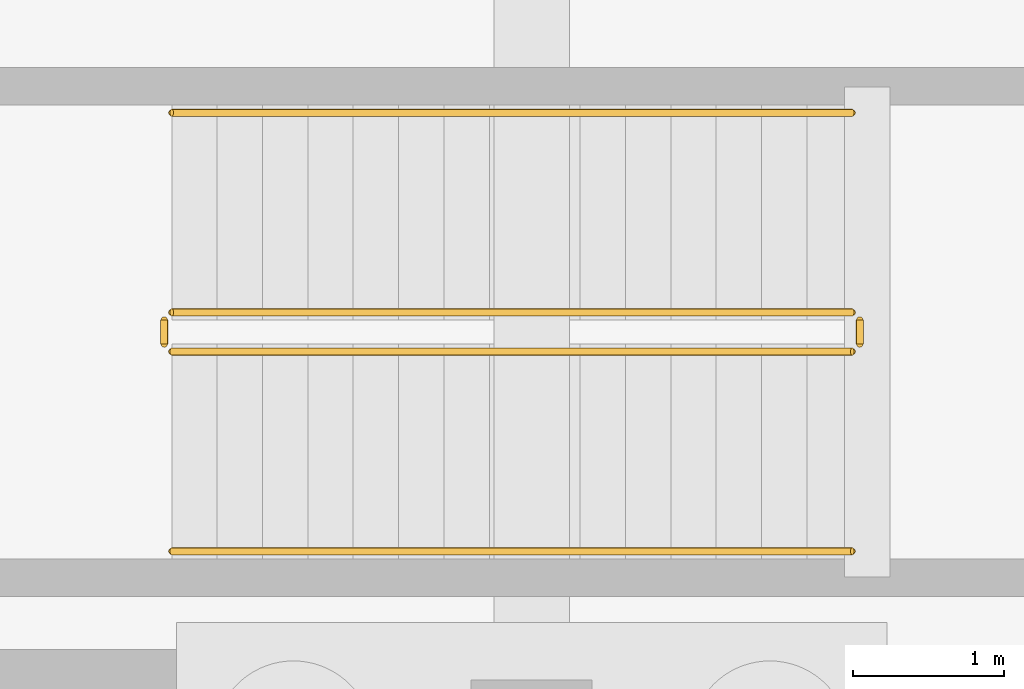
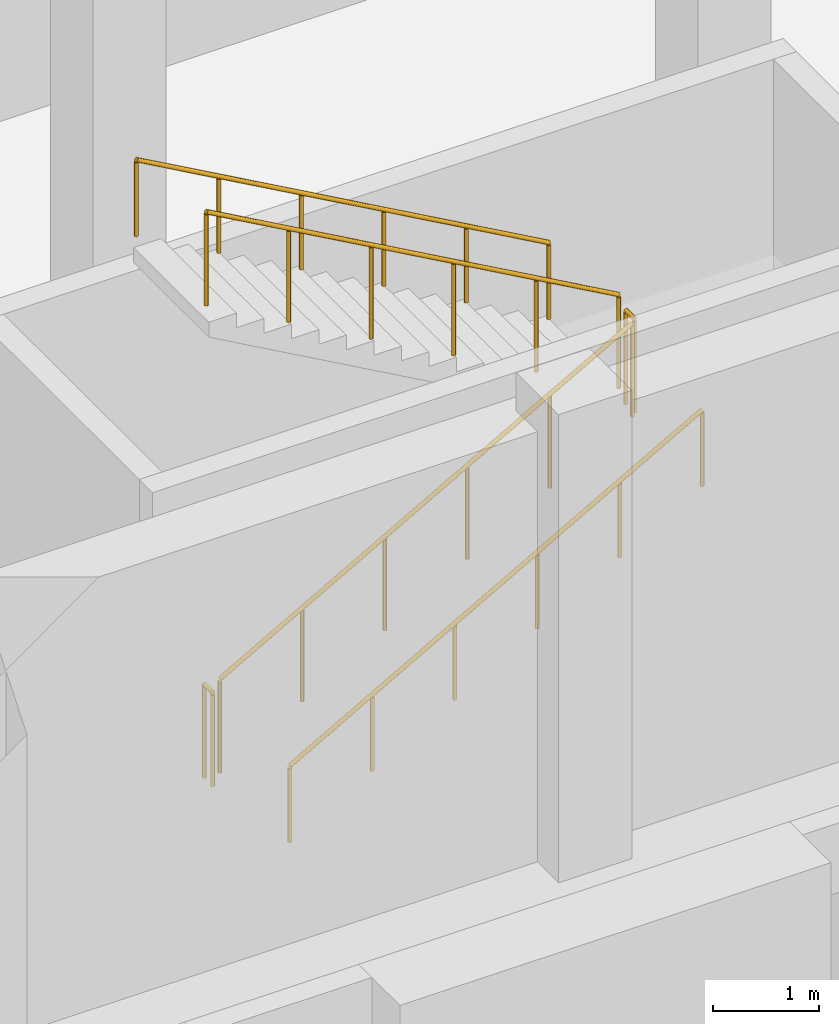
# One storey, part 16 of 23: 6 railings.
"""IFC4 building model written with IfcOpenShell, lengths in metres."""

from ifc_helpers import new_model, si_unit, direction, frame, origin, origin_2d, place, context, subcontext, project, spatial, circle, extrude, material, layer, layer_set, type_object, element, save


model = new_model("IFC4")

# Units and contexts
model_context = context("Model", 3, precision=1e-05, world=origin(), true_north=direction((0.0, 1.0)))
body_context = subcontext(model_context, "Body", "Model", "MODEL_VIEW")
ifc_project = project(units=[si_unit("LENGTHUNIT", "METRE"), si_unit("AREAUNIT", "SQUARE_METRE"), si_unit("VOLUMEUNIT", "CUBIC_METRE"), si_unit("PLANEANGLEUNIT", "RADIAN"), si_unit("MASSUNIT", "GRAM", prefix="KILO")], contexts=[model_context])

# Site, building, storey
site_placement = place(None, origin())
site = spatial("IfcSite", under=ifc_project, at=site_placement, CompositionType="ELEMENT")
building_placement = place(site_placement, origin())
building = spatial("IfcBuilding", under=site, at=building_placement, Name="Dornvale Research Institute", CompositionType="ELEMENT")
storey_placement = place(building_placement, frame((0.0, 0.0, -5.39990234375)))
storey = spatial("IfcBuildingStorey", under=building, at=storey_placement, Name="B1", CompositionType="ELEMENT", Elevation=-5.39990234375)

# Railings
ifc_material_1 = material(Name="Galvanized Painted Tubular Steel Stair Rail", Category="steel")
ifc_layer_1 = layer(ifc_material_1, 0.050048828125)
ifc_layer_set_1 = layer_set([ifc_layer_1], Name="Galvanized Painted Tubular Steel Stair Rail")
railing_type_1 = type_object("IfcRailingType", Name="Railing_Stair_Guard_1100", PredefinedType="GUARDRAIL", material=ifc_layer_set_1)
railing_1_placement = place(storey_placement, frame((103.219970703125, 2.570068359375, 0.168701171875)))
element("IfcRailing", 1, at=railing_1_placement, inside=storey, type_object=railing_type_1, Name="B1 ST-5 stair guard 1", PredefinedType="GUARDRAIL", context=body_context, shape_type="SweptSolid", body=[
    extrude(circle(Radius=0.02392578125, at=origin_2d()), frame((0.0, 0.0, 1.076171875), z_axis=(0.871575537125, 0.0, 0.490261239633), x_axis=(0.0, 1.0, 0.0)), (0.0, 0.0, 1.0), 5.1630859375),
    extrude(circle(Radius=0.02099609375, at=origin_2d()), origin(), (0.0, 0.0, 1.0), 1.052001953125),
    extrude(circle(Radius=0.02099609375, at=origin_2d()), frame((0.89990234375, 0.0, 0.50634765625)), (0.0, 0.0, 1.0), 1.052001953125),
    extrude(circle(Radius=0.02099609375, at=origin_2d()), frame((1.800048828125, 0.0, 1.012451171875)), (0.0, 0.0, 1.0), 1.052001953125),
    extrude(circle(Radius=0.02099609375, at=origin_2d()), frame((2.699951171875, 0.0, 1.518798828125)), (0.0, 0.0, 1.0), 1.052001953125),
    extrude(circle(Radius=0.02099609375, at=origin_2d()), frame((3.60009765625, 0.0, 2.02490234375)), (0.0, 0.0, 1.0), 1.052001953125),
    extrude(circle(Radius=0.02099609375, at=origin_2d()), frame((4.5, 0.0, 2.53125)), (0.0, 0.0, 1.0), 1.052001953125),
])
railing_2_placement = place(storey_placement, frame((107.77001953125, 2.6201171875, 2.699951171875)))
element("IfcRailing", 2, at=railing_2_placement, inside=storey, type_object=railing_type_1, Name="B1 ST-5 stair guard 2", PredefinedType="GUARDRAIL", context=body_context, shape_type="SweptSolid", body=[
    extrude(circle(Radius=0.02392578125, at=origin_2d()), frame((0.0, 0.0, 1.076171875), z_axis=(0.0, 1.0, 0.0), x_axis=(-1.0, 0.0, 0.0)), (0.0, 0.0, 1.0), 0.159912109375),
    extrude(circle(Radius=0.02099609375, at=origin_2d()), origin(), (0.0, 0.0, 1.0), 1.052001953125),
    extrude(circle(Radius=0.02099609375, at=origin_2d()), frame((0.0, 0.159912109375, 0.0)), (0.0, 0.0, 1.0), 1.052001953125),
])
railing_3_placement = place(storey_placement, frame((107.719970703125, 2.830078125, 2.86865234375)))
element("IfcRailing", 3, at=railing_3_placement, inside=storey, type_object=railing_type_1, Name="B1 ST-5 stair guard 3", PredefinedType="GUARDRAIL", context=body_context, shape_type="SweptSolid", body=[
    extrude(circle(Radius=0.02392578125, at=origin_2d()), frame((0.0, 0.0, 1.076171875), z_axis=(-0.871575537125, 0.0, 0.490261239633), x_axis=(0.0, -1.0, 0.0)), (0.0, 0.0, 1.0), 5.1630859375),
    extrude(circle(Radius=0.02099609375, at=origin_2d()), origin(), (0.0, 0.0, 1.0), 1.052001953125),
    extrude(circle(Radius=0.02099609375, at=origin_2d()), frame((-0.89990234375, 0.0, 0.50634765625)), (0.0, 0.0, 1.0), 1.052001953125),
    extrude(circle(Radius=0.02099609375, at=origin_2d()), frame((-1.800048828125, 0.0, 1.012451171875)), (0.0, 0.0, 1.0), 1.052001953125),
    extrude(circle(Radius=0.02099609375, at=origin_2d()), frame((-2.699951171875, 0.0, 1.518798828125)), (0.0, 0.0, 1.0), 1.052001953125),
    extrude(circle(Radius=0.02099609375, at=origin_2d()), frame((-3.60009765625, 0.0, 2.02490234375)), (0.0, 0.0, 1.0), 1.052001953125),
    extrude(circle(Radius=0.02099609375, at=origin_2d()), frame((-4.5, 0.0, 2.53125)), (0.0, 0.0, 1.0), 1.052001953125),
])
railing_4_placement = place(storey_placement, frame((103.169921875, 2.6201171875, 0.0)))
element("IfcRailing", 4, at=railing_4_placement, inside=storey, type_object=railing_type_1, Name="B1 ST-5 stair guard 4", PredefinedType="GUARDRAIL", context=body_context, shape_type="SweptSolid", body=[
    extrude(circle(Radius=0.02392578125, at=origin_2d()), frame((0.0, 0.0, 1.076171875), z_axis=(0.0, 1.0, 0.0), x_axis=(-1.0, 0.0, 0.0)), (0.0, 0.0, 1.0), 0.159912109375),
    extrude(circle(Radius=0.02099609375, at=origin_2d()), origin(), (0.0, 0.0, 1.0), 1.052001953125),
    extrude(circle(Radius=0.02099609375, at=origin_2d()), frame((0.0, 0.159912109375, 0.0)), (0.0, 0.0, 1.0), 1.052001953125),
])
ifc_material_2 = material(Name="Galvanized Painted Tubular Steel Stair Rail", Category="steel")
ifc_layer_2 = layer(ifc_material_2, 0.044921875)
ifc_layer_set_2 = layer_set([ifc_layer_2], Name="Galvanized Painted Tubular Steel Stair Rail")
railing_type_2 = type_object("IfcRailingType", Name="Railing_Stair_Handrail_900", PredefinedType="HANDRAIL", material=ifc_layer_set_2)
railing_5_placement = place(storey_placement, frame((103.219970703125, 1.25, 0.168701171875)))
element("IfcRailing", 5, at=railing_5_placement, inside=storey, type_object=railing_type_2, Name="B1 ST-5 stair handrail 1", PredefinedType="HANDRAIL", context=body_context, shape_type="SweptSolid", body=[
    extrude(circle(Radius=0.02392578125, at=origin_2d()), frame((0.0, 0.0, 0.8759765625), z_axis=(0.871575537125, 0.0, 0.490261239633), x_axis=(0.0, 1.0, 0.0)), (0.0, 0.0, 1.0), 5.1630859375),
    extrude(circle(Radius=0.02099609375, at=origin_2d()), origin(), (0.0, 0.0, 1.0), 0.851806640625),
    extrude(circle(Radius=0.02099609375, at=origin_2d()), frame((0.89990234375, 0.0, 0.50634765625)), (0.0, 0.0, 1.0), 0.851806640625),
    extrude(circle(Radius=0.02099609375, at=origin_2d()), frame((1.800048828125, 0.0, 1.012451171875)), (0.0, 0.0, 1.0), 0.851806640625),
    extrude(circle(Radius=0.02099609375, at=origin_2d()), frame((2.699951171875, 0.0, 1.518798828125)), (0.0, 0.0, 1.0), 0.851806640625),
    extrude(circle(Radius=0.02099609375, at=origin_2d()), frame((3.60009765625, 0.0, 2.02490234375)), (0.0, 0.0, 1.0), 0.851806640625),
    extrude(circle(Radius=0.02099609375, at=origin_2d()), frame((4.5, 0.0, 2.53125)), (0.0, 0.0, 1.0), 0.851806640625),
])
railing_6_placement = place(storey_placement, frame((107.719970703125, 4.14990234375, 2.86865234375)))
element("IfcRailing", 6, at=railing_6_placement, inside=storey, type_object=railing_type_2, Name="B1 ST-5 stair handrail 2", PredefinedType="HANDRAIL", context=body_context, shape_type="SweptSolid", body=[
    extrude(circle(Radius=0.02392578125, at=origin_2d()), frame((0.0, 0.0, 0.8759765625), z_axis=(-0.871575537125, 0.0, 0.490261239633), x_axis=(0.0, -1.0, 0.0)), (0.0, 0.0, 1.0), 5.1630859375),
    extrude(circle(Radius=0.02099609375, at=origin_2d()), origin(), (0.0, 0.0, 1.0), 0.851806640625),
    extrude(circle(Radius=0.02099609375, at=origin_2d()), frame((-0.89990234375, 0.0, 0.50634765625)), (0.0, 0.0, 1.0), 0.851806640625),
    extrude(circle(Radius=0.02099609375, at=origin_2d()), frame((-1.800048828125, 0.0, 1.012451171875)), (0.0, 0.0, 1.0), 0.851806640625),
    extrude(circle(Radius=0.02099609375, at=origin_2d()), frame((-2.699951171875, 0.0, 1.518798828125)), (0.0, 0.0, 1.0), 0.851806640625),
    extrude(circle(Radius=0.02099609375, at=origin_2d()), frame((-3.60009765625, 0.0, 2.02490234375)), (0.0, 0.0, 1.0), 0.851806640625),
    extrude(circle(Radius=0.02099609375, at=origin_2d()), frame((-4.5, 0.0, 2.53125)), (0.0, 0.0, 1.0), 0.851806640625),
])

save(model, "model.ifc")
